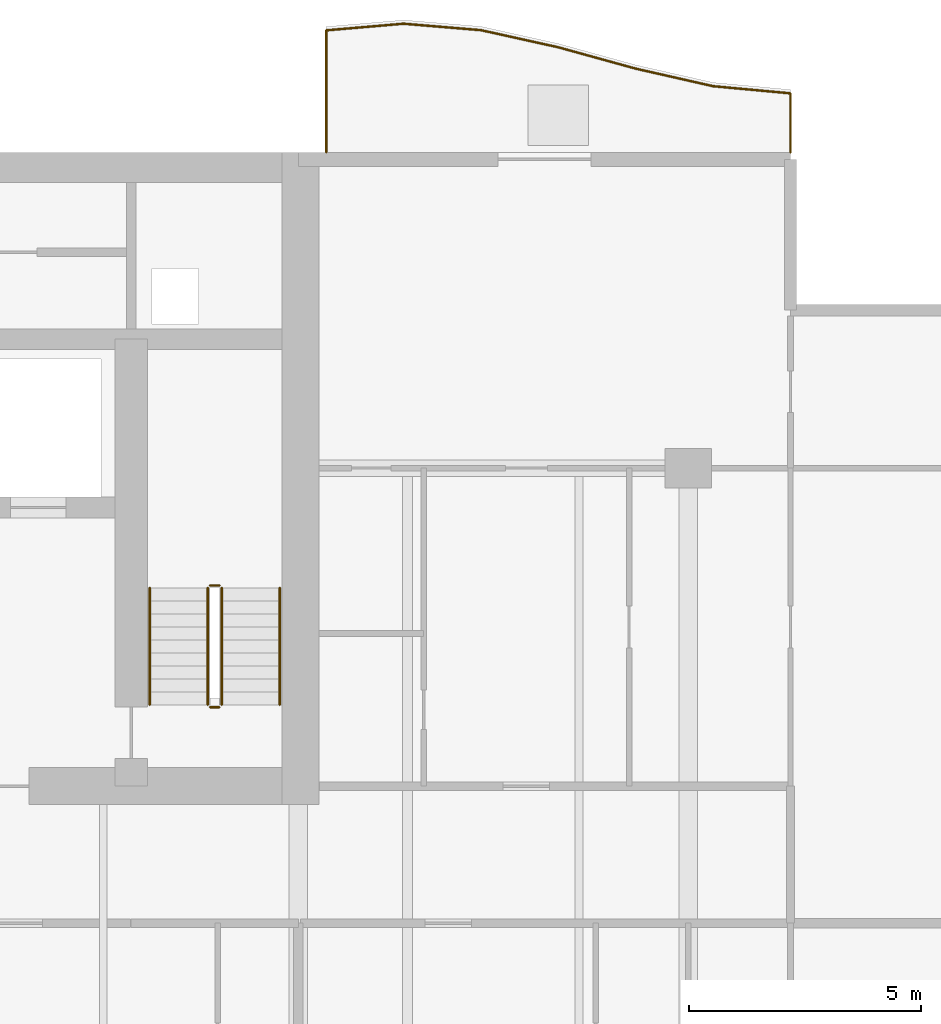
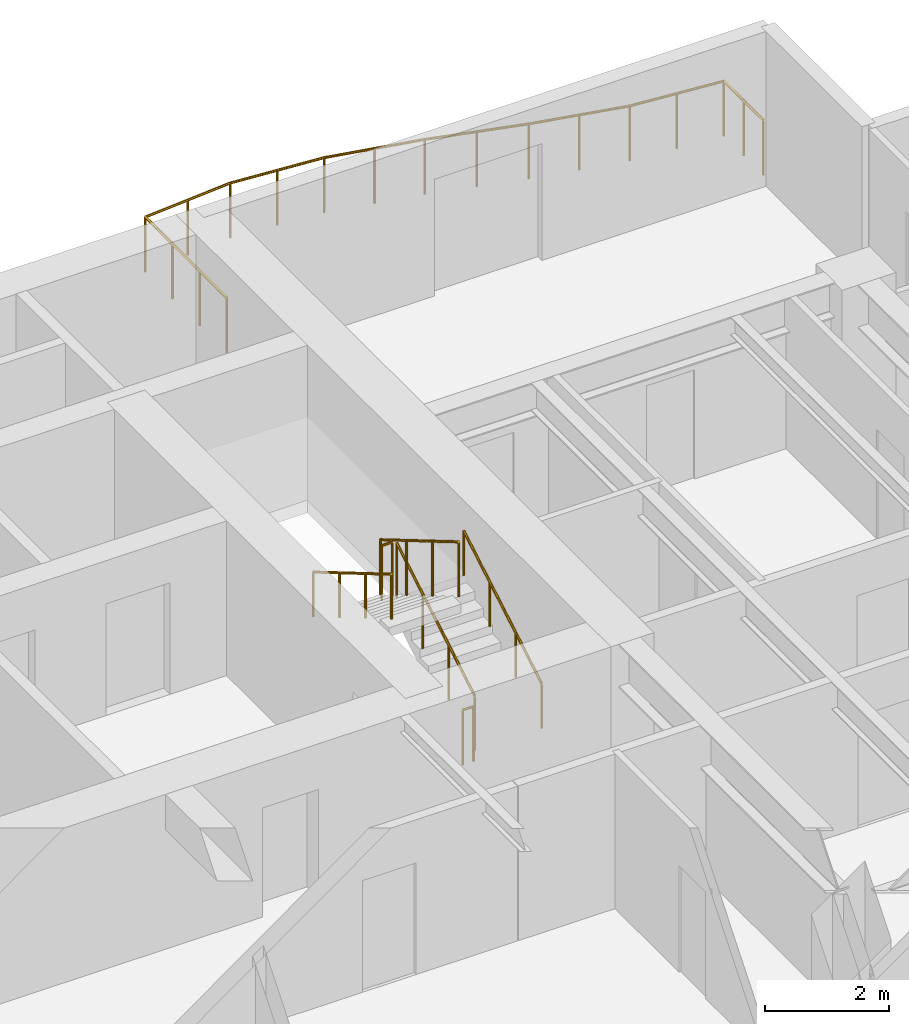
# One storey, part 14 of 15: 7 railings.
"""IFC4 building model written with IfcOpenShell, lengths in metres."""

from ifc_helpers import new_model, si_unit, direction, frame, origin, origin_2d, place, context, subcontext, project, spatial, circle, extrude, material, type_object, element, save


model = new_model("IFC4")

# Units and contexts
model_context = context("Model", 3, precision=1e-05, world=origin(), true_north=direction((0.0, 1.0)))
body_context = subcontext(model_context, "Body", "Model", "MODEL_VIEW")
ifc_project = project(units=[si_unit("LENGTHUNIT", "METRE"), si_unit("AREAUNIT", "SQUARE_METRE"), si_unit("VOLUMEUNIT", "CUBIC_METRE"), si_unit("PLANEANGLEUNIT", "RADIAN"), si_unit("MASSUNIT", "GRAM", prefix="KILO")], contexts=[model_context])

# Site, building, storey
site_placement = place(None, origin())
site = spatial("IfcSite", under=ifc_project, at=site_placement, CompositionType="ELEMENT")
building_placement = place(site_placement, origin())
building = spatial("IfcBuilding", under=site, at=building_placement, Name="Caelmar Bay Residences", CompositionType="ELEMENT")
storey_placement = place(building_placement, frame((0.0, 0.0, 138.89990234375)))
storey = spatial("IfcBuildingStorey", under=building, at=storey_placement, Name="L38", CompositionType="ELEMENT", Elevation=138.89990234375)

# Railings
ifc_material_1 = material(Name="Anodised bronze handrail with laminated hurricane glass infill", Category="glass")
railing_type_1 = type_object("IfcRailingType", Name="RL-BAL-1100", PredefinedType="BALUSTRADE", material=ifc_material_1)
railing_1_placement = place(storey_placement, frame((70.10009765625, 50.60009765625, 0.0)))
element("IfcRailing", 1, at=railing_1_placement, inside=storey, type_object=railing_type_1, Name="L38 north_east Balcony Balustrade", PredefinedType="BALUSTRADE", context=body_context, shape_type="SweptSolid", body=[
    extrude(circle(Radius=0.02392578125, at=origin_2d()), frame((0.0, 0.0, 1.076171875), z_axis=(0.0, 1.0, 0.0), x_axis=(-1.0, 0.0, 0.0)), (0.0, 0.0, 1.0), 1.270263671875),
    extrude(circle(Radius=0.02392578125, at=origin_2d()), frame((0.0, 1.270263671875, 1.076171875), z_axis=(-0.995755786783, 0.092034847145, 0.0), x_axis=(-0.092034847145, -0.995755786783, 0.0)), (0.0, 0.0, 1.0), 1.673828125),
    extrude(circle(Radius=0.02392578125, at=origin_2d()), frame((-1.666748046875, 1.42431640625, 1.076171875), z_axis=(-0.975212775078, 0.221269164874, 0.0), x_axis=(-0.221269164874, -0.975212775078, 0.0)), (0.0, 0.0, 1.0), 1.709228515625),
    extrude(circle(Radius=0.02392578125, at=origin_2d()), frame((-3.33349609375, 1.802490234375, 1.076171875), z_axis=(-0.963993866583, 0.265924472718, 0.0), x_axis=(-0.265924472718, -0.963993866583, 0.0)), (0.0, 0.0, 1.0), 1.728759765625),
    extrude(circle(Radius=0.02392578125, at=origin_2d()), frame((-5.0, 2.26220703125, 1.076171875), z_axis=(-0.97637178472, 0.216097519659, 0.0), x_axis=(-0.216097519659, -0.97637178472, 0.0)), (0.0, 0.0, 1.0), 1.70703125),
    extrude(circle(Radius=0.02392578125, at=origin_2d()), frame((-6.666748046875, 2.631103515625, 1.076171875), z_axis=(-0.996544751474, 0.083057560215, 0.0), x_axis=(-0.083057560215, -0.996544751474, 0.0)), (0.0, 0.0, 1.0), 1.672607421875),
    extrude(circle(Radius=0.02392578125, at=origin_2d()), frame((-8.33349609375, 2.77001953125, 1.076171875), z_axis=(-0.996322835752, -0.085678509315, 0.0), x_axis=(0.085678509315, -0.996322835752, 0.0)), (0.0, 0.0, 1.0), 1.672607421875),
    extrude(circle(Radius=0.02392578125, at=origin_2d()), frame((-10.0, 2.626708984375, 1.076171875), z_axis=(0.0, -1.0, 0.0), x_axis=(1.0, 0.0, 0.0)), (0.0, 0.0, 1.0), 2.626708984375),
    extrude(circle(Radius=0.02099609375, at=origin_2d()), origin(), (0.0, 0.0, 1.0), 1.052001953125),
    extrude(circle(Radius=0.02099609375, at=origin_2d()), frame((0.0, 0.63525390625, 0.0)), (0.0, 0.0, 1.0), 1.052001953125),
    extrude(circle(Radius=0.02099609375, at=origin_2d()), frame((0.0, 1.270263671875, 0.0)), (0.0, 0.0, 1.0), 1.052001953125),
    extrude(circle(Radius=0.02099609375, at=origin_2d()), frame((-0.83349609375, 1.34716796875, 0.0)), (0.0, 0.0, 1.0), 1.052001953125),
    extrude(circle(Radius=0.02099609375, at=origin_2d()), frame((-1.666748046875, 1.42431640625, 0.0)), (0.0, 0.0, 1.0), 1.052001953125),
    extrude(circle(Radius=0.02099609375, at=origin_2d()), frame((-2.5, 1.61328125, 0.0)), (0.0, 0.0, 1.0), 1.052001953125),
    extrude(circle(Radius=0.02099609375, at=origin_2d()), frame((-3.33349609375, 1.802490234375, 0.0)), (0.0, 0.0, 1.0), 1.052001953125),
    extrude(circle(Radius=0.02099609375, at=origin_2d()), frame((-4.166748046875, 2.0322265625, 0.0)), (0.0, 0.0, 1.0), 1.052001953125),
    extrude(circle(Radius=0.02099609375, at=origin_2d()), frame((-5.0, 2.26220703125, 0.0)), (0.0, 0.0, 1.0), 1.052001953125),
    extrude(circle(Radius=0.02099609375, at=origin_2d()), frame((-5.83349609375, 2.44677734375, 0.0)), (0.0, 0.0, 1.0), 1.052001953125),
    extrude(circle(Radius=0.02099609375, at=origin_2d()), frame((-6.666748046875, 2.631103515625, 0.0)), (0.0, 0.0, 1.0), 1.052001953125),
    extrude(circle(Radius=0.02099609375, at=origin_2d()), frame((-7.5, 2.70068359375, 0.0)), (0.0, 0.0, 1.0), 1.052001953125),
    extrude(circle(Radius=0.02099609375, at=origin_2d()), frame((-8.33349609375, 2.77001953125, 0.0)), (0.0, 0.0, 1.0), 1.052001953125),
    extrude(circle(Radius=0.02099609375, at=origin_2d()), frame((-9.166748046875, 2.6982421875, 0.0)), (0.0, 0.0, 1.0), 1.052001953125),
    extrude(circle(Radius=0.02099609375, at=origin_2d()), frame((-10.0, 2.626708984375, 0.0)), (0.0, 0.0, 1.0), 1.052001953125),
    extrude(circle(Radius=0.02099609375, at=origin_2d()), frame((-10.0, 1.751220703125, 0.0)), (0.0, 0.0, 1.0), 1.052001953125),
    extrude(circle(Radius=0.02099609375, at=origin_2d()), frame((-10.0, 0.87548828125, 0.0)), (0.0, 0.0, 1.0), 1.052001953125),
    extrude(circle(Radius=0.02099609375, at=origin_2d()), frame((-10.0, 0.0, 0.0)), (0.0, 0.0, 1.0), 1.052001953125),
])
ifc_material_2 = material(Name="Painted galvanized steel stair guard 1100 mm", Category="steel")
railing_type_2 = type_object("IfcRailingType", Name="RL-GRD-1100", PredefinedType="GUARDRAIL", material=ifc_material_2)
railing_2_placement = place(storey_placement, frame((57.85009765625, 38.699951171875, 0.1650390625)))
element("IfcRailing", 2, at=railing_2_placement, inside=storey, type_object=railing_type_2, Name="L38 ST2 stair guard 1", PredefinedType="GUARDRAIL", context=body_context, shape_type="SweptSolid", body=[
    extrude(circle(Radius=0.02392578125, at=origin_2d()), frame((0.0, 0.0, 1.076171875), z_axis=(0.0, 0.86152411907, 0.507716645641), x_axis=(-1.0, 0.0, 0.0)), (0.0, 0.0, 1.0), 2.925048828125),
    extrude(circle(Radius=0.02099609375, at=origin_2d()), origin(), (0.0, 0.0, 1.0), 1.052001953125),
    extrude(circle(Radius=0.02099609375, at=origin_2d()), frame((0.0, 0.840087890625, 0.4951171875)), (0.0, 0.0, 1.0), 1.052001953125),
    extrude(circle(Radius=0.02099609375, at=origin_2d()), frame((0.0, 1.679931640625, 0.989990234375)), (0.0, 0.0, 1.0), 1.052001953125),
    extrude(circle(Radius=0.02099609375, at=origin_2d()), frame((0.0, 2.52001953125, 1.485107421875)), (0.0, 0.0, 1.0), 1.052001953125),
])
railing_3_placement = place(storey_placement, frame((57.800048828125, 41.27001953125, 1.650146484375)))
element("IfcRailing", 3, at=railing_3_placement, inside=storey, type_object=railing_type_2, Name="L38 ST2 stair guard 2", PredefinedType="GUARDRAIL", context=body_context, shape_type="SweptSolid", body=[
    extrude(circle(Radius=0.02392578125, at=origin_2d()), frame((0.0, 0.0, 1.076171875), z_axis=(-1.0, 0.0, 0.0), x_axis=(0.0, -1.0, 0.0)), (0.0, 0.0, 1.0), 0.199951171875),
    extrude(circle(Radius=0.02099609375, at=origin_2d()), origin(), (0.0, 0.0, 1.0), 1.052001953125),
    extrude(circle(Radius=0.02099609375, at=origin_2d()), frame((-0.199951171875, 0.0, 0.0)), (0.0, 0.0, 1.0), 1.052001953125),
])
railing_4_placement = place(storey_placement, frame((57.550048828125, 41.219970703125, 1.815185546875)))
element("IfcRailing", 4, at=railing_4_placement, inside=storey, type_object=railing_type_2, Name="L38 ST2 stair guard 3", PredefinedType="GUARDRAIL", context=body_context, shape_type="SweptSolid", body=[
    extrude(circle(Radius=0.02392578125, at=origin_2d()), frame((0.0, 0.0, 1.076171875), z_axis=(0.0, -0.861560626758, 0.507654692109), x_axis=(1.0, 0.0, 0.0)), (0.0, 0.0, 1.0), 2.925048828125),
    extrude(circle(Radius=0.02099609375, at=origin_2d()), origin(), (0.0, 0.0, 1.0), 1.052001953125),
    extrude(circle(Radius=0.02099609375, at=origin_2d()), frame((0.0, -0.840087890625, 0.494873046875)), (0.0, 0.0, 1.0), 1.052001953125),
    extrude(circle(Radius=0.02099609375, at=origin_2d()), frame((0.0, -1.679931640625, 0.989990234375)), (0.0, 0.0, 1.0), 1.052001953125),
    extrude(circle(Radius=0.02099609375, at=origin_2d()), frame((0.0, -2.52001953125, 1.48486328125)), (0.0, 0.0, 1.0), 1.052001953125),
])
railing_5_placement = place(storey_placement, frame((57.800048828125, 38.64990234375, 0.0)))
element("IfcRailing", 5, at=railing_5_placement, inside=storey, type_object=railing_type_2, Name="L38 ST2 stair guard 4", PredefinedType="GUARDRAIL", context=body_context, shape_type="SweptSolid", body=[
    extrude(circle(Radius=0.02392578125, at=origin_2d()), frame((0.0, 0.0, 1.076171875), z_axis=(-1.0, 0.0, 0.0), x_axis=(0.0, -1.0, 0.0)), (0.0, 0.0, 1.0), 0.199951171875),
    extrude(circle(Radius=0.02099609375, at=origin_2d()), origin(), (0.0, 0.0, 1.0), 1.052001953125),
    extrude(circle(Radius=0.02099609375, at=origin_2d()), frame((-0.199951171875, 0.0, 0.0)), (0.0, 0.0, 1.0), 1.052001953125),
])
ifc_material_3 = material(Name="Brushed bronze stainless-steel tubular handrail 900 mm", Category="steel")
railing_type_3 = type_object("IfcRailingType", Name="RL-HND-900", PredefinedType="HANDRAIL", material=ifc_material_3)
railing_6_placement = place(storey_placement, frame((59.10009765625, 38.699951171875, 0.1650390625)))
element("IfcRailing", 6, at=railing_6_placement, inside=storey, type_object=railing_type_3, Name="L38 ST2 stair handrail 1", PredefinedType="HANDRAIL", context=body_context, shape_type="SweptSolid", body=[
    extrude(circle(Radius=0.02392578125, at=origin_2d()), frame((0.0, 0.0, 0.8759765625), z_axis=(0.0, 0.86152411907, 0.507716645641), x_axis=(-1.0, 0.0, 0.0)), (0.0, 0.0, 1.0), 2.925048828125),
    extrude(circle(Radius=0.02099609375, at=origin_2d()), origin(), (0.0, 0.0, 1.0), 0.851806640625),
    extrude(circle(Radius=0.02099609375, at=origin_2d()), frame((0.0, 0.840087890625, 0.4951171875)), (0.0, 0.0, 1.0), 0.851806640625),
    extrude(circle(Radius=0.02099609375, at=origin_2d()), frame((0.0, 1.679931640625, 0.989990234375)), (0.0, 0.0, 1.0), 0.851806640625),
    extrude(circle(Radius=0.02099609375, at=origin_2d()), frame((0.0, 2.52001953125, 1.485107421875)), (0.0, 0.0, 1.0), 0.851806640625),
])
railing_7_placement = place(storey_placement, frame((56.300048828125, 41.219970703125, 1.815185546875)))
element("IfcRailing", 7, at=railing_7_placement, inside=storey, type_object=railing_type_3, Name="L38 ST2 stair handrail 2", PredefinedType="HANDRAIL", context=body_context, shape_type="SweptSolid", body=[
    extrude(circle(Radius=0.02392578125, at=origin_2d()), frame((0.0, 0.0, 0.8759765625), z_axis=(0.0, -0.861560626758, 0.507654692109), x_axis=(1.0, 0.0, 0.0)), (0.0, 0.0, 1.0), 2.925048828125),
    extrude(circle(Radius=0.02099609375, at=origin_2d()), origin(), (0.0, 0.0, 1.0), 0.851806640625),
    extrude(circle(Radius=0.02099609375, at=origin_2d()), frame((0.0, -0.840087890625, 0.494873046875)), (0.0, 0.0, 1.0), 0.851806640625),
    extrude(circle(Radius=0.02099609375, at=origin_2d()), frame((0.0, -1.679931640625, 0.989990234375)), (0.0, 0.0, 1.0), 0.851806640625),
    extrude(circle(Radius=0.02099609375, at=origin_2d()), frame((0.0, -2.52001953125, 1.48486328125)), (0.0, 0.0, 1.0), 0.851806640625),
])

save(model, "model.ifc")
